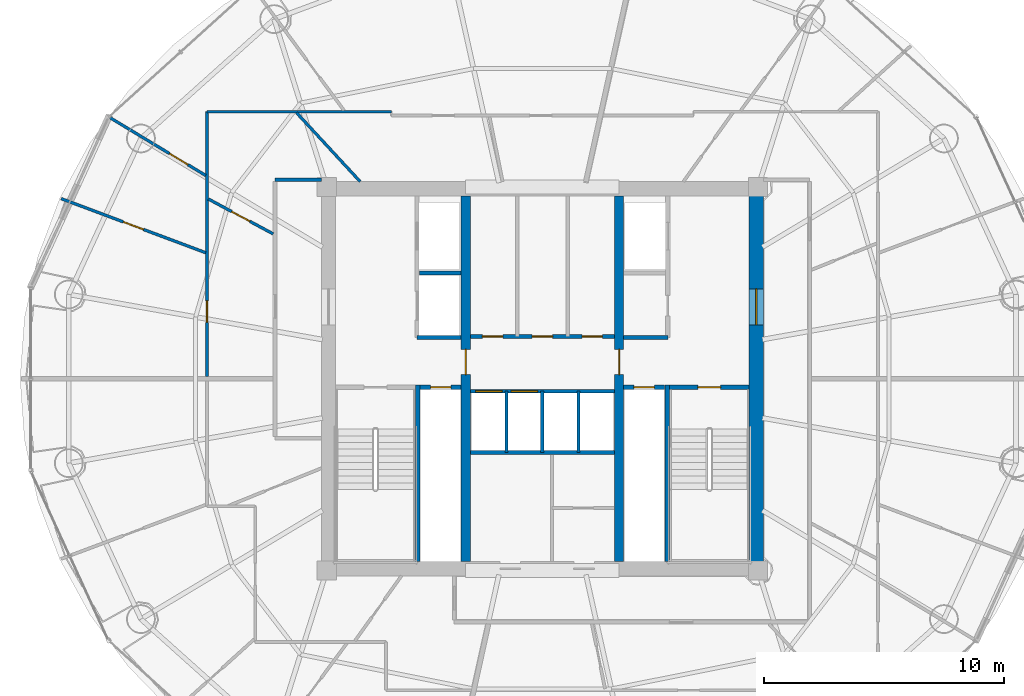
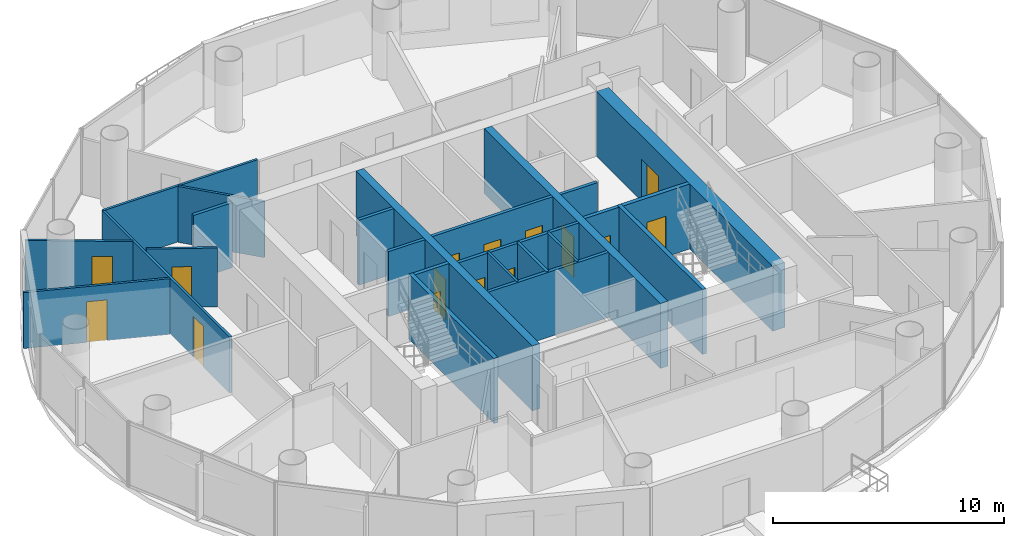
# One storey, part 21 of 26: 24 walls, 15 doors, 15 openings.
"""IFC4 building model written with IfcOpenShell, lengths in metres."""

from ifc_helpers import new_model, si_unit, direction, frame, frame_2d, origin, place, context, subcontext, project, spatial, rectangle, extrude, source, transform, mapped, material, layer, layer_set, type_object, element, fill, save


model = new_model("IFC4")

# Units and contexts
model_context = context("Model", 3, precision=1e-05, world=origin(), true_north=direction((-0.2419218956, 0.970295726276)))
body_context = subcontext(model_context, "Body", "Model", "MODEL_VIEW")
ifc_project = project(units=[si_unit("LENGTHUNIT", "METRE"), si_unit("AREAUNIT", "SQUARE_METRE"), si_unit("VOLUMEUNIT", "CUBIC_METRE"), si_unit("PLANEANGLEUNIT", "RADIAN"), si_unit("MASSUNIT", "GRAM", prefix="KILO")], contexts=[model_context])

# Site, building, storey
site_placement = place(None, origin())
site = spatial("IfcSite", under=ifc_project, at=site_placement, CompositionType="ELEMENT")
building_placement = place(site_placement, origin())
building = spatial("IfcBuilding", under=site, at=building_placement, Name="Cobrevalo Terracotta Tower", CompositionType="ELEMENT")
storey_placement = place(building_placement, frame((0.0, 0.0, 220.800048828125)))
storey = spatial("IfcBuildingStorey", under=building, at=storey_placement, Name="L58", CompositionType="ELEMENT", Elevation=220.800048828125)

# Wall, opening, door
ifc_material_1 = material(Name="Concrete C55", Category="concrete")
ifc_layer_1 = layer(ifc_material_1, 0.60009765625)
ifc_layer_set_1 = layer_set([ifc_layer_1], Name="Concrete C55")
wall_type_1 = type_object("IfcWallType", Name="Core shear wall 600 mm Concrete C55", PredefinedType="SHEAR", material=ifc_layer_set_1)
wall_1_placement = place(storey_placement, frame((46.925048828125, 19.175048828125, 0.0), z_axis=(0.0, 0.0, 1.0), x_axis=(0.0, 1.0, 0.0)))
wall_1 = element("IfcWall", 1, at=wall_1_placement, inside=storey, type_object=wall_type_1, Name="L58 east core shear wall", PredefinedType="SHEAR", context=body_context, shape_type="SweptSolid", body=[
    extrude(rectangle(XDim=15.25, YDim=0.60009765625, at=frame_2d((7.625, 0.0))), origin(), (0.0, 0.0, 1.0), 3.43505859375),
])
opening_1_placement = place(wall_1_placement, frame((9.875, 0.0, 0.0)))
opening_1 = element("IfcOpeningElement", 2, at=opening_1_placement, cuts=wall_1, Name="Opening ID-14", PredefinedType="OPENING", context=body_context, shape_type="SweptSolid", body=[
    extrude(rectangle(XDim=1.5, YDim=2.199951171875, at=frame_2d((0.75, 1.10009765625))), frame((0.0, 0.31005859375, 0.0), z_axis=(0.0, -1.0, 0.0), x_axis=(1.0, 0.0, 0.0)), (0.0, 0.0, 1.0), 0.6201171875),
])
ifc_material_2 = material(Name="Galvanized fire-rated steel", Category="steel")
door_type_1 = type_object("IfcDoorType", Name="Core cross-lobby double fire door 1500x2200 EI 90", OperationType="NOTDEFINED", PredefinedType="DOOR", material=ifc_material_2)
shared_shape_1 = source(origin(), body_context, "Body", "SweptSolid", [
    extrude(rectangle(XDim=1.5, YDim=2.199951171875, at=frame_2d((0.75, 1.10009765625))), frame((0.0, 0.02490234375, 0.0), z_axis=(0.0, -1.0, 0.0), x_axis=(1.0, 0.0, 0.0)), (0.0, 0.0, 1.0), 0.050048828125),
])
door_1_placement = place(opening_1_placement, frame((1.5, 0.0, 0.0), z_axis=(0.0, 0.0, 1.0), x_axis=(-1.0, 0.0, 0.0)))
door_1 = element("IfcDoor", 3, at=door_1_placement, inside=storey, type_object=door_type_1, Name="L58 east firefighting lobby entrance door", OperationType="DOUBLE_DOOR_SINGLE_SWING", OverallHeight=2.199951171875, OverallWidth=1.5, PredefinedType="DOOR", context=body_context, shape_type="MappedRepresentation", body=[
    mapped(shared_shape_1, transform((0.0, 0.0, 0.0), scale=1.0)),
])
fill(opening_1, door_1)

# Walls
ifc_material_3 = material(Name="Gypsum board on steel stud", Category="steel")
ifc_layer_2 = layer(ifc_material_3, 0.159912109375)
ifc_layer_set_2 = layer_set([ifc_layer_2], Name="Gypsum board on steel stud")
wall_type_2 = type_object("IfcWallType", Name="Fire-rated corridor acoustic partition wall 160 mm", PredefinedType="PARTITIONING", material=ifc_layer_set_2)
wall_2_placement = place(storey_placement, frame((32.860107421875, 31.219970703125, 0.0), z_axis=(0.0, 0.0, 1.0), x_axis=(1.0, 0.0, 0.0)))
element("IfcWall", 4, at=wall_2_placement, inside=storey, type_object=wall_type_2, Name="L58 interior partition IW-L58-FF1-M", PredefinedType="PARTITIONING", context=body_context, shape_type="SweptSolid", body=[
    extrude(rectangle(XDim=1.75, YDim=0.159912109375, at=frame_2d((0.875, 0.0))), origin(), (0.0, 0.0, 1.0), 3.43505859375),
])
for number, where, z_axis, x_axis, name in (
    (5, (32.77001953125, 28.52001953125, 0.0), (0.0, 0.0, 1.0), (1.0, 0.0, 0.0), "L58 interior partition IW-L58-FF1-S"),
    (6, (41.389892578125, 28.52001953125, 0.0), (0.0, 0.0, 1.0), (1.0, 0.0, 0.0), "L58 interior partition IW-L58-FF2-S"),
):
    element("IfcWall", number, at=place(storey_placement, frame(where, z_axis=z_axis, x_axis=x_axis)), inside=storey, type_object=wall_type_2, Name=name, PredefinedType="PARTITIONING", context=body_context, shape_type="SweptSolid", body=[
        extrude(rectangle(XDim=1.840087890625, YDim=0.159912109375, at=frame_2d((0.919921875, 0.0))), origin(), (0.0, 0.0, 1.0), 3.43505859375),
    ])

# Wall, openings, doors
wall_3_placement = place(storey_placement, frame((34.989990234375, 28.56005859375, 0.0), z_axis=(0.0, 0.0, 1.0), x_axis=(1.0, 0.0, 0.0)))
wall_3 = element("IfcWall", 7, at=wall_3_placement, inside=storey, type_object=wall_type_2, Name="L58 interior partition IW-L58-LB-S", PredefinedType="PARTITIONING", context=body_context, shape_type="SweptSolid", body=[
    extrude(rectangle(XDim=6.02001953125, YDim=0.159912109375, at=frame_2d((3.010009765625, 0.0))), origin(), (0.0, 0.0, 1.0), 3.43505859375),
])
opening_2_placement = place(wall_3_placement, frame((0.5048828125, 0.0, 0.0)))
opening_2 = element("IfcOpeningElement", 8, at=opening_2_placement, cuts=wall_3, Name="Opening ID-22", PredefinedType="OPENING", context=body_context, shape_type="SweptSolid", body=[
    extrude(rectangle(XDim=0.85009765625, YDim=2.10009765625, at=frame_2d((0.425048828125, 1.050048828125))), frame((0.0, 0.08984375, 0.0), z_axis=(0.0, -1.0, 0.0), x_axis=(1.0, 0.0, 0.0)), (0.0, 0.0, 1.0), 0.179931640625),
])
opening_3_placement = place(wall_3_placement, frame((2.580078125, 0.0, 0.0)))
opening_3 = element("IfcOpeningElement", 9, at=opening_3_placement, cuts=wall_3, Name="Opening ID-07", PredefinedType="OPENING", context=body_context, shape_type="SweptSolid", body=[
    extrude(rectangle(XDim=0.860107421875, YDim=2.10009765625, at=frame_2d((0.43017578125, 1.050048828125))), frame((0.0, 0.08984375, 0.0), z_axis=(0.0, -1.0, 0.0), x_axis=(1.0, 0.0, 0.0)), (0.0, 0.0, 1.0), 0.179931640625),
])
opening_4_placement = place(wall_3_placement, frame((4.6650390625, 0.0, 0.0)))
opening_4 = element("IfcOpeningElement", 10, at=opening_4_placement, cuts=wall_3, Name="Opening ID-22", PredefinedType="OPENING", context=body_context, shape_type="SweptSolid", body=[
    extrude(rectangle(XDim=0.85009765625, YDim=2.10009765625, at=frame_2d((0.425048828125, 1.050048828125))), frame((0.0, 0.08984375, 0.0), z_axis=(0.0, -1.0, 0.0), x_axis=(1.0, 0.0, 0.0)), (0.0, 0.0, 1.0), 0.179931640625),
])
ifc_material_4 = material(Name="Powder-coated steel", Category="steel")
door_type_2 = type_object("IfcDoorType", Name="Riser shaft & meter closet fire access door 850x2100 EI 60", OperationType="NOTDEFINED", PredefinedType="DOOR", material=ifc_material_4)
shared_shape_2 = source(origin(), body_context, "Body", "SweptSolid", [
    extrude(rectangle(XDim=0.85009765625, YDim=2.10009765625, at=frame_2d((0.425048828125, 1.050048828125))), frame((0.0, 0.02490234375, 0.0), z_axis=(0.0, -1.0, 0.0), x_axis=(1.0, 0.0, 0.0)), (0.0, 0.0, 1.0), 0.050048828125),
])
door_2_placement = place(opening_2_placement, origin())
door_2 = element("IfcDoor", 11, at=door_2_placement, inside=storey, type_object=door_type_2, Name="L58 core service door Housekeeping Linen Store", OperationType="SINGLE_SWING_LEFT", OverallHeight=2.10009765625, OverallWidth=0.85009765625, PredefinedType="DOOR", context=body_context, shape_type="MappedRepresentation", body=[
    mapped(shared_shape_2, transform((0.0, 0.0, 0.0), scale=1.0)),
])
fill(opening_2, door_2)
door_3_placement = place(opening_4_placement, origin())
door_3 = element("IfcDoor", 12, at=door_3_placement, inside=storey, type_object=door_type_2, Name="L58 core service door Floor BMS Mechanical Plant", OperationType="SINGLE_SWING_LEFT", OverallHeight=2.10009765625, OverallWidth=0.85009765625, PredefinedType="DOOR", context=body_context, shape_type="MappedRepresentation", body=[
    mapped(shared_shape_2, transform((0.0, 0.0, 0.0), scale=1.0)),
])
fill(opening_4, door_3)
ifc_material_5 = material(Name="Fire-rated moisture-sealed timber", Category="wood")
door_type_3 = type_object("IfcDoorType", Name="Core & podium fire-rated accessible WC door 860x2100 EI 60", OperationType="NOTDEFINED", PredefinedType="DOOR", material=ifc_material_5)
shared_shape_3 = source(origin(), body_context, "Body", "SweptSolid", [
    extrude(rectangle(XDim=0.860107421875, YDim=2.10009765625, at=frame_2d((0.43017578125, 1.050048828125))), frame((0.0, 0.02490234375, 0.0), z_axis=(0.0, -1.0, 0.0), x_axis=(1.0, 0.0, 0.0)), (0.0, 0.0, 1.0), 0.050048828125),
])
door_4_placement = place(opening_3_placement, origin())
door_4 = element("IfcDoor", 13, at=door_4_placement, inside=storey, type_object=door_type_3, Name="L58 core service door Floor Service Toilet WC", OperationType="SINGLE_SWING_RIGHT", OverallHeight=2.10009765625, OverallWidth=0.860107421875, PredefinedType="DOOR", context=body_context, shape_type="MappedRepresentation", body=[
    mapped(shared_shape_3, transform((0.0, 0.0, 0.0), scale=1.0)),
])
fill(opening_3, door_4)

wall_4_placement = place(storey_placement, frame((34.989990234375, 26.280029296875, 0.0), z_axis=(0.0, 0.0, 1.0), x_axis=(1.0, 0.0, 0.0)))
wall_4 = element("IfcWall", 14, at=wall_4_placement, inside=storey, type_object=wall_type_2, Name="L58 interior partition IW-L58-MB-N", PredefinedType="PARTITIONING", context=body_context, shape_type="SweptSolid", body=[
    extrude(rectangle(XDim=6.02001953125, YDim=0.159912109375, at=frame_2d((3.010009765625, 0.0))), origin(), (0.0, 0.0, 1.0), 3.43505859375),
])
opening_5_placement = place(wall_4_placement, frame((0.22509765625, 0.0, 0.0)))
opening_5 = element("IfcOpeningElement", 15, at=opening_5_placement, cuts=wall_4, Name="Opening LD-01", PredefinedType="OPENING", context=body_context, shape_type="SweptSolid", body=[
    extrude(rectangle(XDim=1.10009765625, YDim=2.199951171875, at=frame_2d((0.550048828125, 1.10009765625))), frame((0.0, 0.08984375, 0.0), z_axis=(0.0, -1.0, 0.0), x_axis=(1.0, 0.0, 0.0)), (0.0, 0.0, 1.0), 0.179931640625),
])
opening_6_placement = place(wall_4_placement, frame((1.705078125, 0.0, 0.0)))
opening_6 = element("IfcOpeningElement", 16, at=opening_6_placement, cuts=wall_4, Name="Opening LD-01", PredefinedType="OPENING", context=body_context, shape_type="SweptSolid", body=[
    extrude(rectangle(XDim=1.10009765625, YDim=2.199951171875, at=frame_2d((0.550048828125, 1.10009765625))), frame((0.0, 0.08984375, 0.0), z_axis=(0.0, -1.0, 0.0), x_axis=(1.0, 0.0, 0.0)), (0.0, 0.0, 1.0), 0.179931640625),
])
ifc_material_6 = material(Name="Brushed stainless steel", Category="steel")
door_type_4 = type_object("IfcDoorType", Name="Passenger lift landing bi-parting sliding door 1100x2200 EI 90", OperationType="DOUBLE_DOOR_SLIDING", PredefinedType="DOOR", material=ifc_material_6)
shared_shape_4 = source(origin(), body_context, "Body", "SweptSolid", [
    extrude(rectangle(XDim=1.10009765625, YDim=2.199951171875, at=frame_2d((0.550048828125, 1.10009765625))), frame((0.0, 0.02490234375, 0.0), z_axis=(0.0, -1.0, 0.0), x_axis=(1.0, 0.0, 0.0)), (0.0, 0.0, 1.0), 0.050048828125),
])
door_5_placement = place(opening_5_placement, origin())
door_5 = element("IfcDoor", 17, at=door_5_placement, inside=storey, type_object=door_type_4, Name="L58 lift landing door PL-M1", OperationType="DOUBLE_DOOR_SLIDING", OverallHeight=2.199951171875, OverallWidth=1.10009765625, PredefinedType="DOOR", context=body_context, shape_type="MappedRepresentation", body=[
    mapped(shared_shape_4, transform((0.0, 0.0, 0.0), scale=1.0)),
])
fill(opening_5, door_5)
door_6_placement = place(opening_6_placement, origin())
door_6 = element("IfcDoor", 18, at=door_6_placement, inside=storey, type_object=door_type_4, Name="L58 lift landing door PL-M2", OperationType="DOUBLE_DOOR_SLIDING", OverallHeight=2.199951171875, OverallWidth=1.10009765625, PredefinedType="DOOR", context=body_context, shape_type="MappedRepresentation", body=[
    mapped(shared_shape_4, transform((0.0, 0.0, 0.0), scale=1.0)),
])
fill(opening_6, door_6)

# Walls
wall_5_placement = place(storey_placement, frame((34.989990234375, 23.719970703125, 0.0), z_axis=(0.0, 0.0, 1.0), x_axis=(1.0, 0.0, 0.0)))
element("IfcWall", 19, at=wall_5_placement, inside=storey, type_object=wall_type_2, Name="L58 interior partition IW-L58-MB-S", PredefinedType="PARTITIONING", context=body_context, shape_type="SweptSolid", body=[
    extrude(rectangle(XDim=6.02001953125, YDim=0.159912109375, at=frame_2d((3.010009765625, 0.0))), origin(), (0.0, 0.0, 1.0), 3.43505859375),
])
wall_6_placement = place(storey_placement, frame((26.844970703125, 35.10498046875, 0.0), z_axis=(0.0, 0.0, 1.0), x_axis=(1.0, 0.0, 0.0)))
element("IfcWall", 20, at=wall_6_placement, inside=storey, type_object=wall_type_2, Name="L58 interior partition IW-L58-COR-WN-CAP", PredefinedType="PARTITIONING", context=body_context, shape_type="SweptSolid", body=[
    extrude(rectangle(XDim=1.929931640625, YDim=0.159912109375, at=frame_2d((0.96484375, 0.0))), origin(), (0.0, 0.0, 1.0), 3.43505859375),
])

# Wall, opening, door
ifc_layer_3 = layer(ifc_material_3, 0.179931640625)
ifc_layer_set_3 = layer_set([ifc_layer_3], Name="Gypsum board on steel stud")
wall_type_3 = type_object("IfcWallType", Name="Fire-rated shaft & lobby acoustic partition wall 180 mm", PredefinedType="PARTITIONING", material=ifc_layer_set_3)
wall_7_placement = place(storey_placement, frame((32.89990234375, 26.449951171875, 0.0), z_axis=(0.0, 0.0, 1.0), x_axis=(1.0, 0.0, 0.0)))
wall_7 = element("IfcWall", 21, at=wall_7_placement, inside=storey, type_object=wall_type_3, Name="L58 interior partition IW-L58-RSW-N", PredefinedType="PARTITIONING", context=body_context, shape_type="SweptSolid", body=[
    extrude(rectangle(XDim=1.710205078125, YDim=0.179931640625, at=frame_2d((0.85498046875, 0.0))), origin(), (0.0, 0.0, 1.0), 3.43505859375),
])
opening_7_placement = place(wall_7_placement, frame((0.429931640625, 0.0, 0.0)))
opening_7 = element("IfcOpeningElement", 22, at=opening_7_placement, cuts=wall_7, Name="Opening ID-22", PredefinedType="OPENING", context=body_context, shape_type="SweptSolid", body=[
    extrude(rectangle(XDim=0.85009765625, YDim=2.10009765625, at=frame_2d((0.425048828125, 1.050048828125))), frame((0.0, 0.10009765625, 0.0), z_axis=(0.0, -1.0, 0.0), x_axis=(1.0, 0.0, 0.0)), (0.0, 0.0, 1.0), 0.199951171875),
])
door_7_placement = place(opening_7_placement, origin())
door_7 = element("IfcDoor", 23, at=door_7_placement, inside=storey, type_object=door_type_2, Name="L58 riser access door RSW", OperationType="SINGLE_SWING_LEFT", OverallHeight=2.10009765625, OverallWidth=0.85009765625, PredefinedType="DOOR", context=body_context, shape_type="MappedRepresentation", body=[
    mapped(shared_shape_2, transform((0.0, 0.0, 0.0), scale=1.0)),
])
fill(opening_7, door_7)

wall_8_placement = place(storey_placement, frame((41.389892578125, 26.449951171875, 0.0), z_axis=(0.0, 0.0, 1.0), x_axis=(1.0, 0.0, 0.0)))
wall_8 = element("IfcWall", 24, at=wall_8_placement, inside=storey, type_object=wall_type_3, Name="L58 interior partition IW-L58-RSE-N", PredefinedType="PARTITIONING", context=body_context, shape_type="SweptSolid", body=[
    extrude(rectangle(XDim=1.710205078125, YDim=0.179931640625, at=frame_2d((0.85498046875, 0.0))), origin(), (0.0, 0.0, 1.0), 3.43505859375),
])
opening_8_placement = place(wall_8_placement, frame((0.429931640625, 0.0, 0.0)))
opening_8 = element("IfcOpeningElement", 25, at=opening_8_placement, cuts=wall_8, Name="Opening ID-22", PredefinedType="OPENING", context=body_context, shape_type="SweptSolid", body=[
    extrude(rectangle(XDim=0.85009765625, YDim=2.10009765625, at=frame_2d((0.425048828125, 1.050048828125))), frame((0.0, 0.10009765625, 0.0), z_axis=(0.0, -1.0, 0.0), x_axis=(1.0, 0.0, 0.0)), (0.0, 0.0, 1.0), 0.199951171875),
])
door_8_placement = place(opening_8_placement, origin())
door_8 = element("IfcDoor", 26, at=door_8_placement, inside=storey, type_object=door_type_2, Name="L58 riser access door RSE", OperationType="SINGLE_SWING_RIGHT", OverallHeight=2.10009765625, OverallWidth=0.85009765625, PredefinedType="DOOR", context=body_context, shape_type="MappedRepresentation", body=[
    mapped(shared_shape_2, transform((0.0, 0.0, 0.0), scale=1.0)),
])
fill(opening_8, door_8)

# Walls
ifc_material_7 = material(Name="Autoclaved aerated concrete block", Category="concrete")
ifc_layer_4 = layer(ifc_material_7, 0.1201171875)
ifc_layer_set_4 = layer_set([ifc_layer_4], Name="Autoclaved aerated concrete block")
wall_type_4 = type_object("IfcWallType", Name="Fire-rated wet-room & core service partition 120 mm", PredefinedType="PARTITIONING", material=ifc_layer_set_4)
for number, where, z_axis, x_axis, name in (
    (27, (36.5, 23.719970703125, 0.0), (0.0, 0.0, 1.0), (0.0, 1.0, 0.0), "L58 interior partition IW-L58-MB-D1"),
    (28, (39.5, 23.719970703125, 0.0), (0.0, 0.0, 1.0), (0.0, 1.0, 0.0), "L58 interior partition IW-L58-MB-D3"),
):
    element("IfcWall", number, at=place(storey_placement, frame(where, z_axis=z_axis, x_axis=x_axis)), inside=storey, type_object=wall_type_4, Name=name, PredefinedType="PARTITIONING", context=body_context, shape_type="SweptSolid", body=[
        extrude(rectangle(XDim=2.56005859375, YDim=0.1201171875, at=frame_2d((1.280029296875, 0.0))), origin(), (0.0, 0.0, 1.0), 3.43505859375),
    ])

# Wall, opening, door
ifc_material_8 = material(Name="Concrete C50", Category="concrete")
ifc_layer_5 = layer(ifc_material_8, 0.3798828125)
ifc_layer_set_5 = layer_set([ifc_layer_5], Name="Concrete C50")
wall_type_5 = type_object("IfcWallType", Name="Internal core shear web wall 380 mm Concrete C50", PredefinedType="SHEAR", material=ifc_layer_set_5)
wall_9_placement = place(storey_placement, frame((34.800048828125, 19.175048828125, 0.0), z_axis=(0.0, 0.0, 1.0), x_axis=(0.0, 1.0, 0.0)))
wall_9 = element("IfcWall", 29, at=wall_9_placement, inside=storey, type_object=wall_type_5, Name="L58 internal core shear wall WEB-W", PredefinedType="SHEAR", context=body_context, shape_type="SweptSolid", body=[
    extrude(rectangle(XDim=15.25, YDim=0.3798828125, at=frame_2d((7.625, 0.0))), origin(), (0.0, 0.0, 1.0), 3.43505859375),
])
opening_9_placement = place(wall_9_placement, frame((7.800048828125, 0.0, 0.0)))
opening_9 = element("IfcOpeningElement", 30, at=opening_9_placement, cuts=wall_9, Name="Opening ID-11", PredefinedType="OPENING", context=body_context, shape_type="SweptSolid", body=[
    extrude(rectangle(XDim=1.050048828125, YDim=2.14990234375, at=frame_2d((0.52490234375, 1.074951171875))), frame((0.0, 0.199951171875, 0.0), z_axis=(0.0, -1.0, 0.0), x_axis=(1.0, 0.0, 0.0)), (0.0, 0.0, 1.0), 0.39990234375),
])
door_type_5 = type_object("IfcDoorType", Name="Core concourse cross fire door 1050x2150 EI 90", OperationType="NOTDEFINED", PredefinedType="DOOR", material=ifc_material_2)
shared_shape_5 = source(origin(), body_context, "Body", "SweptSolid", [
    extrude(rectangle(XDim=1.050048828125, YDim=2.14990234375, at=frame_2d((0.52490234375, 1.074951171875))), frame((0.0, 0.02490234375, 0.0), z_axis=(0.0, -1.0, 0.0), x_axis=(1.0, 0.0, 0.0)), (0.0, 0.0, 1.0), 0.050048828125),
])
door_9_placement = place(opening_9_placement, origin())
door_9 = element("IfcDoor", 31, at=door_9_placement, inside=storey, type_object=door_type_5, Name="L58 west core concourse cross door", OperationType="SINGLE_SWING_LEFT", OverallHeight=2.14990234375, OverallWidth=1.050048828125, PredefinedType="DOOR", context=body_context, shape_type="MappedRepresentation", body=[
    mapped(shared_shape_5, transform((0.0, 0.0, 0.0), scale=1.0)),
])
fill(opening_9, door_9)

wall_10_placement = place(storey_placement, frame((41.199951171875, 19.175048828125, 0.0), z_axis=(0.0, 0.0, 1.0), x_axis=(0.0, 1.0, 0.0)))
wall_10 = element("IfcWall", 32, at=wall_10_placement, inside=storey, type_object=wall_type_5, Name="L58 internal core shear wall WEB-E", PredefinedType="SHEAR", context=body_context, shape_type="SweptSolid", body=[
    extrude(rectangle(XDim=15.25, YDim=0.3798828125, at=frame_2d((7.625, 0.0))), origin(), (0.0, 0.0, 1.0), 3.43505859375),
])
opening_10_placement = place(wall_10_placement, frame((7.800048828125, 0.0, 0.0)))
opening_10 = element("IfcOpeningElement", 33, at=opening_10_placement, cuts=wall_10, Name="Opening ID-11", PredefinedType="OPENING", context=body_context, shape_type="SweptSolid", body=[
    extrude(rectangle(XDim=1.050048828125, YDim=2.14990234375, at=frame_2d((0.52490234375, 1.074951171875))), frame((0.0, 0.199951171875, 0.0), z_axis=(0.0, -1.0, 0.0), x_axis=(1.0, 0.0, 0.0)), (0.0, 0.0, 1.0), 0.39990234375),
])
door_10_placement = place(opening_10_placement, frame((1.050048828125, 0.0, 0.0), z_axis=(0.0, 0.0, 1.0), x_axis=(-1.0, 0.0, 0.0)))
door_10 = element("IfcDoor", 34, at=door_10_placement, inside=storey, type_object=door_type_5, Name="L58 east core concourse cross door", OperationType="SINGLE_SWING_RIGHT", OverallHeight=2.14990234375, OverallWidth=1.050048828125, PredefinedType="DOOR", context=body_context, shape_type="MappedRepresentation", body=[
    mapped(shared_shape_5, transform((0.0, 0.0, 0.0), scale=1.0)),
])
fill(opening_10, door_10)

# Wall
ifc_layer_6 = layer(ifc_material_7, 0.139892578125)
ifc_layer_set_6 = layer_set([ifc_layer_6], Name="Autoclaved aerated concrete block")
wall_type_6 = type_object("IfcWallType", Name="Moisture-resistant wet-room & core service partition 140 mm", PredefinedType="PARTITIONING", material=ifc_layer_set_6)
wall_11_placement = place(storey_placement, frame((38.0, 23.719970703125, 0.0), z_axis=(0.0, 0.0, 1.0), x_axis=(0.0, 1.0, 0.0)))
element("IfcWall", 35, at=wall_11_placement, inside=storey, type_object=wall_type_6, Name="L58 interior partition IW-L58-MB-D2", PredefinedType="PARTITIONING", context=body_context, shape_type="SweptSolid", body=[
    extrude(rectangle(XDim=2.56005859375, YDim=0.139892578125, at=frame_2d((1.280029296875, 0.0))), origin(), (0.0, 0.0, 1.0), 3.43505859375),
])

# Wall, opening, door
ifc_layer_7 = layer(ifc_material_3, 0.1201171875)
ifc_layer_set_7 = layer_set([ifc_layer_7], Name="Gypsum board on steel stud")
wall_type_7 = type_object("IfcWallType", Name="Residential internal acoustic stud partition 120 mm", PredefinedType="PARTITIONING", material=ifc_layer_set_7)
wall_12_placement = place(storey_placement, frame((24.0048828125, 26.902099609375, 0.0), z_axis=(0.0, 0.0, 1.0), x_axis=(0.0, 1.0, 0.0)))
wall_12 = element("IfcWall", 36, at=wall_12_placement, inside=storey, type_object=wall_type_7, Name="L58 interior partition IW-L58-U2-RING0_0", PredefinedType="PARTITIONING", context=body_context, shape_type="SweptSolid", body=[
    extrude(rectangle(XDim=11.04296875, YDim=0.1201171875, at=frame_2d((5.521484375, 0.0))), origin(), (0.0, 0.0, 1.0), 2.950927734375),
])
opening_11_placement = place(wall_12_placement, frame((2.246337890625, 0.0, 0.0)))
opening_11 = element("IfcOpeningElement", 37, at=opening_11_placement, cuts=wall_12, Name="Opening ID-12", PredefinedType="OPENING", context=body_context, shape_type="SweptSolid", body=[
    extrude(rectangle(XDim=0.89990234375, YDim=2.14990234375, at=frame_2d((0.449951171875, 1.074951171875))), frame((0.0, 0.070068359375, 0.0), z_axis=(0.0, -1.0, 0.0), x_axis=(1.0, 0.0, 0.0)), (0.0, 0.0, 1.0), 0.14013671875),
])
ifc_material_9 = material(Name="Engineered timber", Category="wood")
door_type_6 = type_object("IfcDoorType", Name="Internal residence & suite timber door 900x2150", OperationType="NOTDEFINED", PredefinedType="DOOR", material=ifc_material_9)
shared_shape_6 = source(origin(), body_context, "Body", "SweptSolid", [
    extrude(rectangle(XDim=0.89990234375, YDim=2.14990234375, at=frame_2d((0.449951171875, 1.074951171875))), frame((0.0, 0.02490234375, 0.0), z_axis=(0.0, -1.0, 0.0), x_axis=(1.0, 0.0, 0.0)), (0.0, 0.0, 1.0), 0.050048828125),
])
door_11_placement = place(opening_11_placement, origin())
door_11 = element("IfcDoor", 38, at=door_11_placement, inside=storey, type_object=door_type_6, Name="Flat L58B Penthouse Family Lounge internal door", OperationType="SINGLE_SWING_LEFT", OverallHeight=2.14990234375, OverallWidth=0.89990234375, PredefinedType="DOOR", context=body_context, shape_type="MappedRepresentation", body=[
    mapped(shared_shape_6, transform((0.0, 0.0, 0.0), scale=1.0)),
])
fill(opening_11, door_11)

# Wall
wall_13_placement = place(storey_placement, frame((24.0048828125, 37.945068359375, 0.0), z_axis=(0.0, 0.0, 1.0), x_axis=(1.0, 0.0, 0.0)))
element("IfcWall", 39, at=wall_13_placement, inside=storey, type_object=wall_type_7, Name="L58 interior partition IW-L58-U2-RING1_0", PredefinedType="PARTITIONING", context=body_context, shape_type="SweptSolid", body=[
    extrude(rectangle(XDim=7.690185546875, YDim=0.1201171875, at=frame_2d((3.84521484375, 0.0))), origin(), (0.0, 0.0, 1.0), 2.950927734375),
])

# Wall, opening, door
wall_14_placement = place(storey_placement, frame((23.951904296875, 35.282470703125, 0.0), z_axis=(0.0, 0.0, 1.0), x_axis=(-0.856051317976, 0.516890840499, 0.0)))
wall_14 = element("IfcWall", 40, at=wall_14_placement, inside=storey, type_object=wall_type_7, Name="L58 interior partition IW-L58-U2-ORAD2", PredefinedType="PARTITIONING", context=body_context, shape_type="SweptSolid", body=[
    extrude(rectangle(XDim=4.657958984375, YDim=0.1201171875, at=frame_2d((2.3291015625, 0.0))), origin(), (0.0, 0.0, 1.0), 2.950927734375),
])
opening_12_placement = place(wall_14_placement, frame((0.8720703125, 0.0, 0.0)))
opening_12 = element("IfcOpeningElement", 41, at=opening_12_placement, cuts=wall_14, Name="Opening ID-12", PredefinedType="OPENING", context=body_context, shape_type="SweptSolid", body=[
    extrude(rectangle(XDim=0.89990234375, YDim=2.14990234375, at=frame_2d((0.449951171875, 1.074951171875))), frame((0.0, 0.070068359375, 0.0), z_axis=(0.0, -1.0, 0.0), x_axis=(1.0, 0.0, 0.0)), (0.0, 0.0, 1.0), 0.14013671875),
])
door_12_placement = place(opening_12_placement, frame((0.89990234375, 0.0, 0.0), z_axis=(0.0, 0.0, 1.0), x_axis=(-1.0, 0.0, 0.0)))
door_12 = element("IfcDoor", 42, at=door_12_placement, inside=storey, type_object=door_type_6, Name="Flat L58B Master Bedroom internal door", OperationType="SINGLE_SWING_LEFT", OverallHeight=2.14990234375, OverallWidth=0.89990234375, PredefinedType="DOOR", context=body_context, shape_type="MappedRepresentation", body=[
    mapped(shared_shape_6, transform((0.0, 0.0, 0.0), scale=1.0)),
])
fill(opening_12, door_12)

wall_15_placement = place(storey_placement, frame((23.947021484375, 32.060302734375, 0.0), z_axis=(0.0, 0.0, 1.0), x_axis=(-0.936547148815, 0.350541635255, 0.0)))
wall_15 = element("IfcWall", 43, at=wall_15_placement, inside=storey, type_object=wall_type_7, Name="L58 interior partition IW-L58-U2-ORAD3M1", PredefinedType="PARTITIONING", context=body_context, shape_type="SweptSolid", body=[
    extrude(rectangle(XDim=6.438720703125, YDim=0.1201171875, at=frame_2d((3.21923828125, 0.0))), origin(), (0.0, 0.0, 1.0), 2.950927734375),
])
opening_13_placement = place(wall_15_placement, frame((2.769287109375, 0.0, 0.0)))
opening_13 = element("IfcOpeningElement", 44, at=opening_13_placement, cuts=wall_15, Name="Opening ID-12", PredefinedType="OPENING", context=body_context, shape_type="SweptSolid", body=[
    extrude(rectangle(XDim=0.89990234375, YDim=2.14990234375, at=frame_2d((0.449951171875, 1.074951171875))), frame((0.0, 0.070068359375, 0.0), z_axis=(0.0, -1.0, 0.0), x_axis=(1.0, 0.0, 0.0)), (0.0, 0.0, 1.0), 0.14013671875),
])
door_13_placement = place(opening_13_placement, frame((0.89990234375, 0.0, 0.0), z_axis=(0.0, 0.0, 1.0), x_axis=(-1.0, 0.0, 0.0)))
door_13 = element("IfcDoor", 45, at=door_13_placement, inside=storey, type_object=door_type_6, Name="Flat L58B Principal Guest Bedroom internal door", OperationType="SINGLE_SWING_RIGHT", OverallHeight=2.14990234375, OverallWidth=0.89990234375, PredefinedType="DOOR", context=body_context, shape_type="MappedRepresentation", body=[
    mapped(shared_shape_6, transform((0.0, 0.0, 0.0), scale=1.0)),
])
fill(opening_13, door_13)

# Wall
wall_16_placement = place(storey_placement, frame((30.39599609375, 35.0263671875, 0.0), z_axis=(0.0, 0.0, 1.0), x_axis=(-0.678759446058, 0.734360684124, 0.0)))
element("IfcWall", 46, at=wall_16_placement, inside=storey, type_object=wall_type_7, Name="L58 interior partition IW-L58-U2-IRAD2", PredefinedType="PARTITIONING", context=body_context, shape_type="SweptSolid", body=[
    extrude(rectangle(XDim=3.912353515625, YDim=0.1201171875, at=frame_2d((1.9560546875, 0.0))), origin(), (0.0, 0.0, 1.0), 2.950927734375),
])

# Wall, opening, door
wall_17_placement = place(storey_placement, frame((26.764892578125, 32.845458984375, 0.0), z_axis=(0.0, 0.0, 1.0), x_axis=(-0.88059355453, 0.473872336943, 0.0)))
wall_17 = element("IfcWall", 47, at=wall_17_placement, inside=storey, type_object=wall_type_7, Name="L58 interior partition IW-L58-U2-IRAD3", PredefinedType="PARTITIONING", context=body_context, shape_type="SweptSolid", body=[
    extrude(rectangle(XDim=3.072265625, YDim=0.1201171875, at=frame_2d((1.5361328125, 0.0))), origin(), (0.0, 0.0, 1.0), 3.10986328125),
])
opening_14_placement = place(wall_17_placement, frame((1.106201171875, 0.0, 0.0)))
opening_14 = element("IfcOpeningElement", 48, at=opening_14_placement, cuts=wall_17, Name="Opening ID-19", PredefinedType="OPENING", context=body_context, shape_type="SweptSolid", body=[
    extrude(rectangle(XDim=0.860107421875, YDim=2.14990234375, at=frame_2d((0.43017578125, 1.074951171875))), frame((0.0, 0.070068359375, 0.0), z_axis=(0.0, -1.0, 0.0), x_axis=(1.0, 0.0, 0.0)), (0.0, 0.0, 1.0), 0.14013671875),
])
ifc_material_10 = material(Name="Moisture-sealed timber", Category="wood")
door_type_7 = type_object("IfcDoorType", Name="Suite bathroom internal timber door 860x2150", OperationType="NOTDEFINED", PredefinedType="DOOR", material=ifc_material_10)
shared_shape_7 = source(origin(), body_context, "Body", "SweptSolid", [
    extrude(rectangle(XDim=0.860107421875, YDim=2.14990234375, at=frame_2d((0.43017578125, 1.074951171875))), frame((0.0, 0.02490234375, 0.0), z_axis=(0.0, -1.0, 0.0), x_axis=(1.0, 0.0, 0.0)), (0.0, 0.0, 1.0), 0.050048828125),
])
door_14_placement = place(opening_14_placement, frame((0.860107421875, 0.0, 0.0), z_axis=(0.0, 0.0, 1.0), x_axis=(-1.0, 0.0, 0.0)))
door_14 = element("IfcDoor", 49, at=door_14_placement, inside=storey, type_object=door_type_7, Name="Flat L58B Primary Bathroom internal door", OperationType="SINGLE_SWING_RIGHT", OverallHeight=2.14990234375, OverallWidth=0.860107421875, PredefinedType="DOOR", context=body_context, shape_type="MappedRepresentation", body=[
    mapped(shared_shape_7, transform((0.0, 0.0, 0.0), scale=1.0)),
])
fill(opening_14, door_14)

# Walls
ifc_layer_8 = layer(ifc_material_8, 0.199951171875)
ifc_layer_set_8 = layer_set([ifc_layer_8], Name="Concrete C50")
wall_type_8 = type_object("IfcWallType", Name="Structural core & podium stair-shaft RC wall 200 mm Concrete C50", PredefinedType="SOLIDWALL", material=ifc_layer_set_8)
for number, where, z_axis, x_axis, name in (
    (50, (32.794921875, 19.175048828125, 0.0), (0.0, 0.0, 1.0), (0.0, 1.0, 0.0), "L58 ST-1 east structural shaft wall"),
    (51, (43.205078125, 19.175048828125, 0.0), (0.0, 0.0, 1.0), (0.0, 1.0, 0.0), "L58 ST-2 west structural shaft wall"),
):
    element("IfcWall", number, at=place(storey_placement, frame(where, z_axis=z_axis, x_axis=x_axis)), inside=storey, type_object=wall_type_8, Name=name, PredefinedType="SOLIDWALL", context=body_context, shape_type="SweptSolid", body=[
        extrude(rectangle(XDim=7.375, YDim=0.199951171875, at=frame_2d((3.6875, 0.0))), origin(), (0.0, 0.0, 1.0), 3.43505859375),
    ])

# Wall, opening, door
wall_18_placement = place(storey_placement, frame((43.304931640625, 26.449951171875, 0.0), z_axis=(0.0, 0.0, 1.0), x_axis=(1.0, 0.0, 0.0)))
wall_18 = element("IfcWall", 52, at=wall_18_placement, inside=storey, type_object=wall_type_8, Name="L58 ST-2 north structural shaft wall", PredefinedType="SOLIDWALL", context=body_context, shape_type="SweptSolid", body=[
    extrude(rectangle(XDim=3.320068359375, YDim=0.199951171875, at=frame_2d((1.66015625, 0.0))), origin(), (0.0, 0.0, 1.0), 3.43505859375),
])
opening_15_placement = place(wall_18_placement, frame((1.18505859375, 0.0, 0.0)))
opening_15 = element("IfcOpeningElement", 53, at=opening_15_placement, cuts=wall_18, Name="Opening ID-04", PredefinedType="OPENING", context=body_context, shape_type="SweptSolid", body=[
    extrude(rectangle(XDim=0.949951171875, YDim=2.14990234375, at=frame_2d((0.47509765625, 1.074951171875))), frame((0.0, 0.10986328125, 0.0), z_axis=(0.0, -1.0, 0.0), x_axis=(1.0, 0.0, 0.0)), (0.0, 0.0, 1.0), 0.219970703125),
])
door_type_8 = type_object("IfcDoorType", Name="Stair & firefighting lobby fire door 950x2150 EI 90", OperationType="NOTDEFINED", PredefinedType="DOOR", material=ifc_material_2)
shared_shape_8 = source(origin(), body_context, "Body", "SweptSolid", [
    extrude(rectangle(XDim=0.949951171875, YDim=2.14990234375, at=frame_2d((0.47509765625, 1.074951171875))), frame((0.0, 0.02490234375, 0.0), z_axis=(0.0, -1.0, 0.0), x_axis=(1.0, 0.0, 0.0)), (0.0, 0.0, 1.0), 0.050048828125),
])
door_15_placement = place(opening_15_placement, frame((0.949951171875, 0.0, 0.0), z_axis=(0.0, 0.0, 1.0), x_axis=(-1.0, 0.0, 0.0)))
door_15 = element("IfcDoor", 54, at=door_15_placement, inside=storey, type_object=door_type_8, Name="L58 protected stair ST2 fire door", OperationType="SINGLE_SWING_RIGHT", OverallHeight=2.14990234375, OverallWidth=0.949951171875, PredefinedType="DOOR", context=body_context, shape_type="MappedRepresentation", body=[
    mapped(shared_shape_8, transform((0.0, 0.0, 0.0), scale=1.0)),
])
fill(opening_15, door_15)

save(model, "model.ifc")
